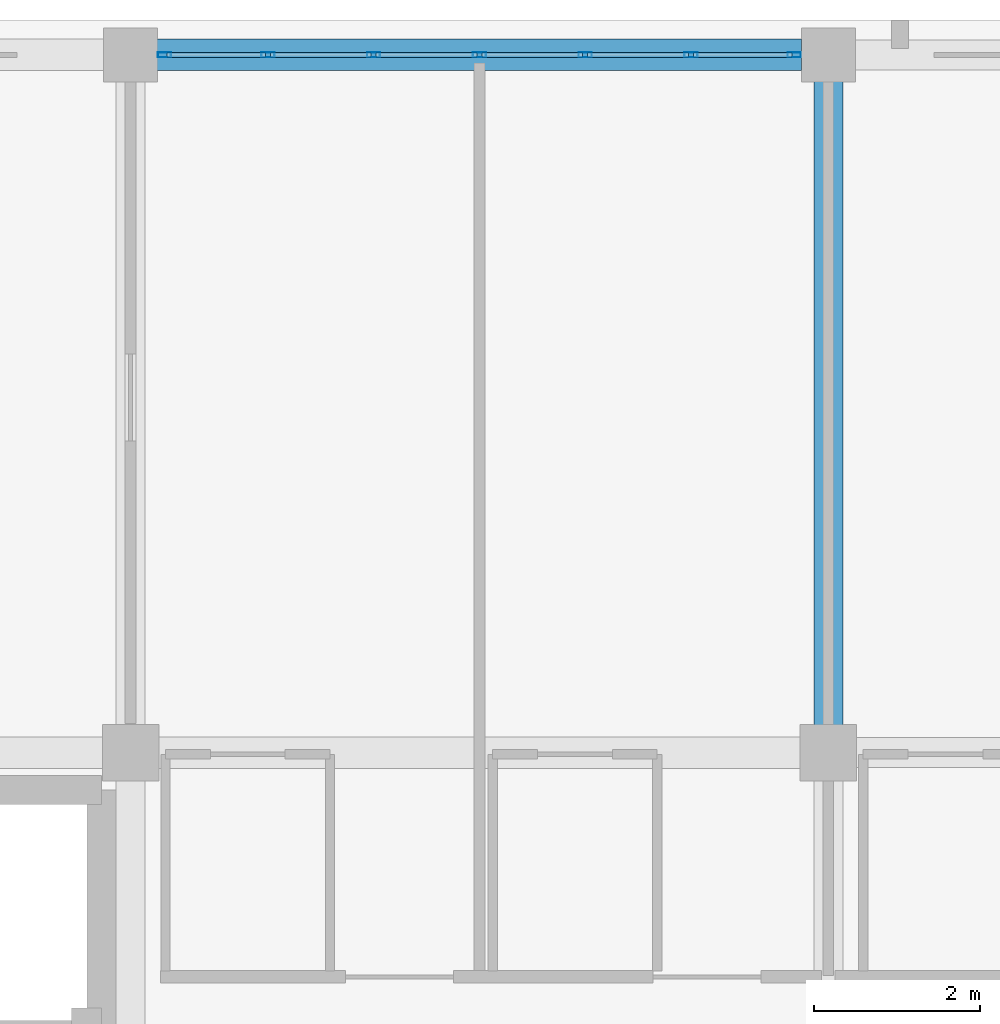
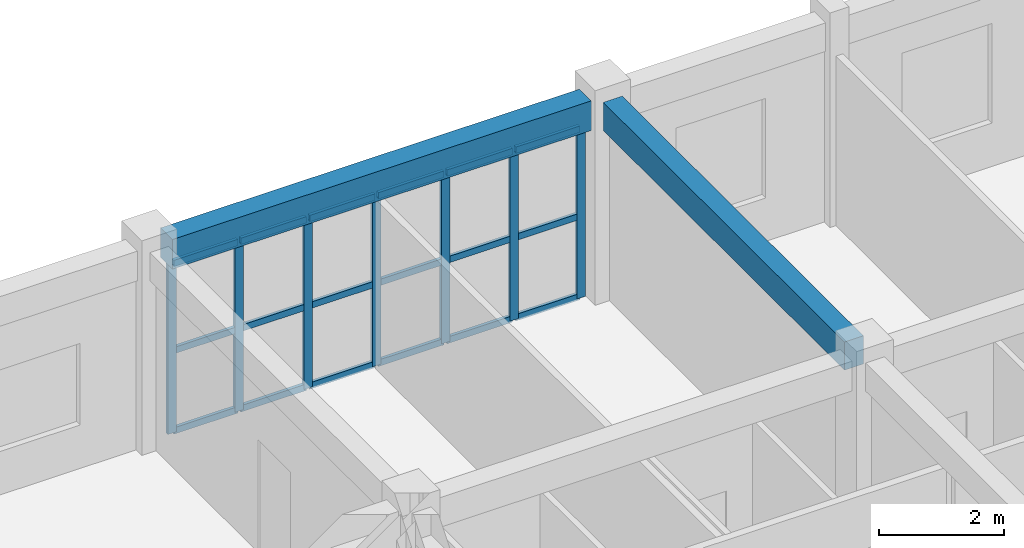
# One storey, part 51 of 90: 25 members, 2 beams, 1 element without a shape of its own.
"""IFC4 building model written with IfcOpenShell, lengths in metres."""

from ifc_helpers import new_model, si_unit, direction, frame, origin, origin_2d, place, context, subcontext, project, spatial, rectangle, hollow_rectangle, extrude, material, layer, layer_set, material_profile, profile_set, type_object, element, aggregate, save


model = new_model("IFC4")

# Units and contexts
model_context = context("Model", 3, precision=1e-05, world=origin(), true_north=direction((0.0, 1.0)))
body_context = subcontext(model_context, "Body", "Model", "MODEL_VIEW")
ifc_project = project(units=[si_unit("LENGTHUNIT", "METRE"), si_unit("AREAUNIT", "SQUARE_METRE"), si_unit("VOLUMEUNIT", "CUBIC_METRE"), si_unit("PLANEANGLEUNIT", "RADIAN"), si_unit("MASSUNIT", "GRAM", prefix="KILO")], contexts=[model_context])

# Site, building, storey
site_placement = place(None, origin())
site = spatial("IfcSite", under=ifc_project, at=site_placement, CompositionType="ELEMENT")
building_placement = place(site_placement, origin())
building = spatial("IfcBuilding", under=site, at=building_placement, Name="Trelvath General Hospital", CompositionType="ELEMENT")
storey_placement = place(building_placement, frame((0.0, 0.0, 20.39990234375)))
storey = spatial("IfcBuildingStorey", under=building, at=storey_placement, Name="L05", CompositionType="ELEMENT", Elevation=20.39990234375)

# Beams
ifc_material_1 = material(Name="Concrete C35/45", Category="concrete")
ifc_material_profile_1 = material_profile(ifc_material_1, rectangle(XDim=0.35009765625, YDim=0.550048828125, at=origin_2d()), Name="RCB350x550")
ifc_profile_set_1 = profile_set([ifc_material_profile_1], Name="Concrete C35/45")
beam_type_1 = type_object("IfcBeamType", Name="Beam RC350x550", PredefinedType="BEAM", material=ifc_profile_set_1)
beam_1_placement = place(storey_placement, frame((100.800048828125, 109.534912109375, 3.64501953125), z_axis=(0.0, 1.0, 0.0), x_axis=(-1.0, 0.0, 0.0)))
element("IfcBeam", 1, at=beam_1_placement, inside=storey, type_object=beam_type_1, Name="Grid Beam BY-512N", PredefinedType="BEAM", context=body_context, shape_type="SweptSolid", body=[
    extrude(rectangle(XDim=0.35009765625, YDim=0.550048828125, at=origin_2d()), origin(), (0.0, 0.0, 1.0), 7.7451171875),
])
ifc_material_2 = material(Name="Concrete C35/45", Category="concrete")
ifc_material_profile_2 = material_profile(ifc_material_2, rectangle(XDim=0.3798828125, YDim=0.580078125, at=origin_2d()), Name="RCB380x580")
ifc_profile_set_2 = profile_set([ifc_material_profile_2], Name="Concrete C35/45")
beam_type_2 = type_object("IfcBeamType", Name="Beam RC380x580", PredefinedType="BEAM", material=ifc_profile_set_2)
beam_2_placement = place(storey_placement, frame((92.719970703125, 117.60009765625, 3.630126953125), z_axis=(1.0, 0.0, 0.0), x_axis=(0.0, 1.0, 0.0)))
element("IfcBeam", 2, at=beam_2_placement, inside=storey, type_object=beam_type_2, Name="Grid Beam BX-511O", PredefinedType="BEAM", context=body_context, shape_type="SweptSolid", body=[
    extrude(rectangle(XDim=0.3798828125, YDim=0.580078125, at=origin_2d()), origin(), (0.0, 0.0, 1.0), 7.760009765625),
])

# Curtain wall, members
ifc_material_3 = material(Name="Anodised aluminium and low-E glass", Category="aluminium")
ifc_layer = layer(ifc_material_3, 0.14990234375)
ifc_layer_set = layer_set([ifc_layer], Name="Anodised aluminium and low-E glass")
curtain_wall_type = type_object("IfcCurtainWallType", Name="CW Facade 764 334 15", PredefinedType="USERDEFINED", material=ifc_layer_set)
curtain_wall_placement = place(storey_placement, origin())
curtain_wall = element("IfcCurtainWall", 3, at=curtain_wall_placement, inside=storey, type_object=curtain_wall_type, Name="Facade Curtain Wall CW-075", ObjectType="Unitised Glazed Curtain Wall", PredefinedType="USERDEFINED")
ifc_material_4 = material(Name="Anodised aluminium", Category="aluminium")
ifc_material_profile_3 = material_profile(ifc_material_4, hollow_rectangle(XDim=0.06005859375, YDim=0.159912109375, WallThickness=0.00390625, at=origin_2d()), Name="RHS60x160x4")
ifc_profile_set_3 = profile_set([ifc_material_profile_3], Name="Anodised aluminium")
member_type_1 = type_object("IfcMemberType", Name="CurtainMullion 60x160", PredefinedType="MULLION", material=ifc_profile_set_3)
member_1_placement = place(storey_placement, frame((92.81005859375, 117.60009765625, 0.0), z_axis=(0.0, 0.0, 1.0), x_axis=(0.0, 1.0, 0.0)))
member_1 = element("IfcMember", 4, at=member_1_placement, type_object=member_type_1, Name="CW-075 mullion 1", PredefinedType="MULLION", context=body_context, shape_type="SweptSolid", body=[
    extrude(hollow_rectangle(XDim=0.06005859375, YDim=0.159912109375, WallThickness=0.00390625, at=origin_2d()), origin(), (0.0, 0.0, 1.0), 3.340087890625),
])
member_2_placement = place(storey_placement, frame((94.05322265625, 117.60009765625, 0.0), z_axis=(0.0, 0.0, 1.0), x_axis=(0.0, 1.0, 0.0)))
member_2 = element("IfcMember", 5, at=member_2_placement, type_object=member_type_1, Name="CW-075 mullion 2", PredefinedType="MULLION", context=body_context, shape_type="SweptSolid", body=[
    extrude(hollow_rectangle(XDim=0.06005859375, YDim=0.159912109375, WallThickness=0.00390625, at=origin_2d()), origin(), (0.0, 0.0, 1.0), 3.340087890625),
])
member_3_placement = place(storey_placement, frame((95.32666015625, 117.60009765625, 0.0), z_axis=(0.0, 0.0, 1.0), x_axis=(0.0, 1.0, 0.0)))
member_3 = element("IfcMember", 6, at=member_3_placement, type_object=member_type_1, Name="CW-075 mullion 3", PredefinedType="MULLION", context=body_context, shape_type="SweptSolid", body=[
    extrude(hollow_rectangle(XDim=0.06005859375, YDim=0.159912109375, WallThickness=0.00390625, at=origin_2d()), origin(), (0.0, 0.0, 1.0), 3.340087890625),
])
member_4_placement = place(storey_placement, frame((96.60009765625, 117.60009765625, 0.0), z_axis=(0.0, 0.0, 1.0), x_axis=(0.0, 1.0, 0.0)))
member_4 = element("IfcMember", 7, at=member_4_placement, type_object=member_type_1, Name="CW-075 mullion 4", PredefinedType="MULLION", context=body_context, shape_type="SweptSolid", body=[
    extrude(hollow_rectangle(XDim=0.06005859375, YDim=0.159912109375, WallThickness=0.00390625, at=origin_2d()), origin(), (0.0, 0.0, 1.0), 3.340087890625),
])
member_5_placement = place(storey_placement, frame((97.873291015625, 117.60009765625, 0.0), z_axis=(0.0, 0.0, 1.0), x_axis=(0.0, 1.0, 0.0)))
member_5 = element("IfcMember", 8, at=member_5_placement, type_object=member_type_1, Name="CW-075 mullion 5", PredefinedType="MULLION", context=body_context, shape_type="SweptSolid", body=[
    extrude(hollow_rectangle(XDim=0.06005859375, YDim=0.159912109375, WallThickness=0.00390625, at=origin_2d()), origin(), (0.0, 0.0, 1.0), 3.340087890625),
])
member_6_placement = place(storey_placement, frame((99.146728515625, 117.60009765625, 0.0), z_axis=(0.0, 0.0, 1.0), x_axis=(0.0, 1.0, 0.0)))
member_6 = element("IfcMember", 9, at=member_6_placement, type_object=member_type_1, Name="CW-075 mullion 6", PredefinedType="MULLION", context=body_context, shape_type="SweptSolid", body=[
    extrude(hollow_rectangle(XDim=0.06005859375, YDim=0.159912109375, WallThickness=0.00390625, at=origin_2d()), origin(), (0.0, 0.0, 1.0), 3.340087890625),
])
member_7_placement = place(storey_placement, frame((100.389892578125, 117.60009765625, 0.0), z_axis=(0.0, 0.0, 1.0), x_axis=(0.0, 1.0, 0.0)))
member_7 = element("IfcMember", 10, at=member_7_placement, type_object=member_type_1, Name="CW-075 mullion 7", PredefinedType="MULLION", context=body_context, shape_type="SweptSolid", body=[
    extrude(hollow_rectangle(XDim=0.06005859375, YDim=0.159912109375, WallThickness=0.00390625, at=origin_2d()), origin(), (0.0, 0.0, 1.0), 3.340087890625),
])
ifc_material_5 = material(Name="Anodised aluminium", Category="aluminium")
ifc_material_profile_4 = material_profile(ifc_material_5, hollow_rectangle(XDim=0.06005859375, YDim=0.125, WallThickness=0.00390625, at=origin_2d()), Name="RHS60x125x4")
ifc_profile_set_4 = profile_set([ifc_material_profile_4], Name="Anodised aluminium")
member_type_2 = type_object("IfcMemberType", Name="CurtainTransom 60x125", PredefinedType="USERDEFINED", material=ifc_profile_set_4)
member_8_placement = place(storey_placement, frame((92.840087890625, 117.60009765625, 0.030029296875), z_axis=(1.0, 0.0, 0.0), x_axis=(0.0, 1.0, 0.0)))
member_8 = element("IfcMember", 11, at=member_8_placement, type_object=member_type_2, Name="CW-075 transom 1.1", ObjectType="TRANSOM", PredefinedType="USERDEFINED", context=body_context, shape_type="SweptSolid", body=[
    extrude(hollow_rectangle(XDim=0.06005859375, YDim=0.125, WallThickness=0.00390625, at=origin_2d()), origin(), (0.0, 0.0, 1.0), 1.183349609375),
])
member_9_placement = place(storey_placement, frame((92.840087890625, 117.60009765625, 1.60302734375), z_axis=(1.0, 0.0, 0.0), x_axis=(0.0, 1.0, 0.0)))
member_9 = element("IfcMember", 12, at=member_9_placement, type_object=member_type_2, Name="CW-075 transom 1.2", ObjectType="TRANSOM", PredefinedType="USERDEFINED", context=body_context, shape_type="SweptSolid", body=[
    extrude(hollow_rectangle(XDim=0.06005859375, YDim=0.125, WallThickness=0.00390625, at=origin_2d()), origin(), (0.0, 0.0, 1.0), 1.183349609375),
])
member_10_placement = place(storey_placement, frame((92.840087890625, 117.60009765625, 3.31005859375), z_axis=(1.0, 0.0, 0.0), x_axis=(0.0, 1.0, 0.0)))
member_10 = element("IfcMember", 13, at=member_10_placement, type_object=member_type_2, Name="CW-075 transom 1.3", ObjectType="TRANSOM", PredefinedType="USERDEFINED", context=body_context, shape_type="SweptSolid", body=[
    extrude(hollow_rectangle(XDim=0.06005859375, YDim=0.125, WallThickness=0.00390625, at=origin_2d()), origin(), (0.0, 0.0, 1.0), 1.183349609375),
])
member_11_placement = place(storey_placement, frame((94.083251953125, 117.60009765625, 0.030029296875), z_axis=(1.0, 0.0, 0.0), x_axis=(0.0, 1.0, 0.0)))
member_11 = element("IfcMember", 14, at=member_11_placement, type_object=member_type_2, Name="CW-075 transom 2.1", ObjectType="TRANSOM", PredefinedType="USERDEFINED", context=body_context, shape_type="SweptSolid", body=[
    extrude(hollow_rectangle(XDim=0.06005859375, YDim=0.125, WallThickness=0.00390625, at=origin_2d()), origin(), (0.0, 0.0, 1.0), 1.21337890625),
])
member_12_placement = place(storey_placement, frame((94.083251953125, 117.60009765625, 1.60302734375), z_axis=(1.0, 0.0, 0.0), x_axis=(0.0, 1.0, 0.0)))
member_12 = element("IfcMember", 15, at=member_12_placement, type_object=member_type_2, Name="CW-075 transom 2.2", ObjectType="TRANSOM", PredefinedType="USERDEFINED", context=body_context, shape_type="SweptSolid", body=[
    extrude(hollow_rectangle(XDim=0.06005859375, YDim=0.125, WallThickness=0.00390625, at=origin_2d()), origin(), (0.0, 0.0, 1.0), 1.21337890625),
])
member_13_placement = place(storey_placement, frame((94.083251953125, 117.60009765625, 3.31005859375), z_axis=(1.0, 0.0, 0.0), x_axis=(0.0, 1.0, 0.0)))
member_13 = element("IfcMember", 16, at=member_13_placement, type_object=member_type_2, Name="CW-075 transom 2.3", ObjectType="TRANSOM", PredefinedType="USERDEFINED", context=body_context, shape_type="SweptSolid", body=[
    extrude(hollow_rectangle(XDim=0.06005859375, YDim=0.125, WallThickness=0.00390625, at=origin_2d()), origin(), (0.0, 0.0, 1.0), 1.21337890625),
])
member_14_placement = place(storey_placement, frame((95.356689453125, 117.60009765625, 0.030029296875), z_axis=(1.0, 0.0, 0.0), x_axis=(0.0, 1.0, 0.0)))
member_14 = element("IfcMember", 17, at=member_14_placement, type_object=member_type_2, Name="CW-075 transom 3.1", ObjectType="TRANSOM", PredefinedType="USERDEFINED", context=body_context, shape_type="SweptSolid", body=[
    extrude(hollow_rectangle(XDim=0.06005859375, YDim=0.125, WallThickness=0.00390625, at=origin_2d()), origin(), (0.0, 0.0, 1.0), 1.21337890625),
])
member_15_placement = place(storey_placement, frame((95.356689453125, 117.60009765625, 1.60302734375), z_axis=(1.0, 0.0, 0.0), x_axis=(0.0, 1.0, 0.0)))
member_15 = element("IfcMember", 18, at=member_15_placement, type_object=member_type_2, Name="CW-075 transom 3.2", ObjectType="TRANSOM", PredefinedType="USERDEFINED", context=body_context, shape_type="SweptSolid", body=[
    extrude(hollow_rectangle(XDim=0.06005859375, YDim=0.125, WallThickness=0.00390625, at=origin_2d()), origin(), (0.0, 0.0, 1.0), 1.21337890625),
])
member_16_placement = place(storey_placement, frame((95.356689453125, 117.60009765625, 3.31005859375), z_axis=(1.0, 0.0, 0.0), x_axis=(0.0, 1.0, 0.0)))
member_16 = element("IfcMember", 19, at=member_16_placement, type_object=member_type_2, Name="CW-075 transom 3.3", ObjectType="TRANSOM", PredefinedType="USERDEFINED", context=body_context, shape_type="SweptSolid", body=[
    extrude(hollow_rectangle(XDim=0.06005859375, YDim=0.125, WallThickness=0.00390625, at=origin_2d()), origin(), (0.0, 0.0, 1.0), 1.21337890625),
])
member_17_placement = place(storey_placement, frame((96.6298828125, 117.60009765625, 0.030029296875), z_axis=(1.0, 0.0, 0.0), x_axis=(0.0, 1.0, 0.0)))
member_17 = element("IfcMember", 20, at=member_17_placement, type_object=member_type_2, Name="CW-075 transom 4.1", ObjectType="TRANSOM", PredefinedType="USERDEFINED", context=body_context, shape_type="SweptSolid", body=[
    extrude(hollow_rectangle(XDim=0.06005859375, YDim=0.125, WallThickness=0.00390625, at=origin_2d()), origin(), (0.0, 0.0, 1.0), 1.21337890625),
])
member_18_placement = place(storey_placement, frame((96.6298828125, 117.60009765625, 1.60302734375), z_axis=(1.0, 0.0, 0.0), x_axis=(0.0, 1.0, 0.0)))
member_18 = element("IfcMember", 21, at=member_18_placement, type_object=member_type_2, Name="CW-075 transom 4.2", ObjectType="TRANSOM", PredefinedType="USERDEFINED", context=body_context, shape_type="SweptSolid", body=[
    extrude(hollow_rectangle(XDim=0.06005859375, YDim=0.125, WallThickness=0.00390625, at=origin_2d()), origin(), (0.0, 0.0, 1.0), 1.21337890625),
])
member_19_placement = place(storey_placement, frame((96.6298828125, 117.60009765625, 3.31005859375), z_axis=(1.0, 0.0, 0.0), x_axis=(0.0, 1.0, 0.0)))
member_19 = element("IfcMember", 22, at=member_19_placement, type_object=member_type_2, Name="CW-075 transom 4.3", ObjectType="TRANSOM", PredefinedType="USERDEFINED", context=body_context, shape_type="SweptSolid", body=[
    extrude(hollow_rectangle(XDim=0.06005859375, YDim=0.125, WallThickness=0.00390625, at=origin_2d()), origin(), (0.0, 0.0, 1.0), 1.21337890625),
])
member_20_placement = place(storey_placement, frame((97.9033203125, 117.60009765625, 0.030029296875), z_axis=(1.0, 0.0, 0.0), x_axis=(0.0, 1.0, 0.0)))
member_20 = element("IfcMember", 23, at=member_20_placement, type_object=member_type_2, Name="CW-075 transom 5.1", ObjectType="TRANSOM", PredefinedType="USERDEFINED", context=body_context, shape_type="SweptSolid", body=[
    extrude(hollow_rectangle(XDim=0.06005859375, YDim=0.125, WallThickness=0.00390625, at=origin_2d()), origin(), (0.0, 0.0, 1.0), 1.21337890625),
])
member_21_placement = place(storey_placement, frame((97.9033203125, 117.60009765625, 1.60302734375), z_axis=(1.0, 0.0, 0.0), x_axis=(0.0, 1.0, 0.0)))
member_21 = element("IfcMember", 24, at=member_21_placement, type_object=member_type_2, Name="CW-075 transom 5.2", ObjectType="TRANSOM", PredefinedType="USERDEFINED", context=body_context, shape_type="SweptSolid", body=[
    extrude(hollow_rectangle(XDim=0.06005859375, YDim=0.125, WallThickness=0.00390625, at=origin_2d()), origin(), (0.0, 0.0, 1.0), 1.21337890625),
])
member_22_placement = place(storey_placement, frame((97.9033203125, 117.60009765625, 3.31005859375), z_axis=(1.0, 0.0, 0.0), x_axis=(0.0, 1.0, 0.0)))
member_22 = element("IfcMember", 25, at=member_22_placement, type_object=member_type_2, Name="CW-075 transom 5.3", ObjectType="TRANSOM", PredefinedType="USERDEFINED", context=body_context, shape_type="SweptSolid", body=[
    extrude(hollow_rectangle(XDim=0.06005859375, YDim=0.125, WallThickness=0.00390625, at=origin_2d()), origin(), (0.0, 0.0, 1.0), 1.21337890625),
])
member_23_placement = place(storey_placement, frame((99.1767578125, 117.60009765625, 0.030029296875), z_axis=(1.0, 0.0, 0.0), x_axis=(0.0, 1.0, 0.0)))
member_23 = element("IfcMember", 26, at=member_23_placement, type_object=member_type_2, Name="CW-075 transom 6.1", ObjectType="TRANSOM", PredefinedType="USERDEFINED", context=body_context, shape_type="SweptSolid", body=[
    extrude(hollow_rectangle(XDim=0.06005859375, YDim=0.125, WallThickness=0.00390625, at=origin_2d()), origin(), (0.0, 0.0, 1.0), 1.183349609375),
])
member_24_placement = place(storey_placement, frame((99.1767578125, 117.60009765625, 1.60302734375), z_axis=(1.0, 0.0, 0.0), x_axis=(0.0, 1.0, 0.0)))
member_24 = element("IfcMember", 27, at=member_24_placement, type_object=member_type_2, Name="CW-075 transom 6.2", ObjectType="TRANSOM", PredefinedType="USERDEFINED", context=body_context, shape_type="SweptSolid", body=[
    extrude(hollow_rectangle(XDim=0.06005859375, YDim=0.125, WallThickness=0.00390625, at=origin_2d()), origin(), (0.0, 0.0, 1.0), 1.183349609375),
])
member_25_placement = place(storey_placement, frame((99.1767578125, 117.60009765625, 3.31005859375), z_axis=(1.0, 0.0, 0.0), x_axis=(0.0, 1.0, 0.0)))
member_25 = element("IfcMember", 28, at=member_25_placement, type_object=member_type_2, Name="CW-075 transom 6.3", ObjectType="TRANSOM", PredefinedType="USERDEFINED", context=body_context, shape_type="SweptSolid", body=[
    extrude(hollow_rectangle(XDim=0.06005859375, YDim=0.125, WallThickness=0.00390625, at=origin_2d()), origin(), (0.0, 0.0, 1.0), 1.183349609375),
])
aggregate(curtain_wall, [member_1, member_2, member_3, member_4, member_5, member_6, member_7, member_8, member_9, member_10, member_11, member_12, member_13, member_14, member_15, member_16, member_17, member_18, member_19, member_20, member_21, member_22, member_23, member_24, member_25])

save(model, "model.ifc")
